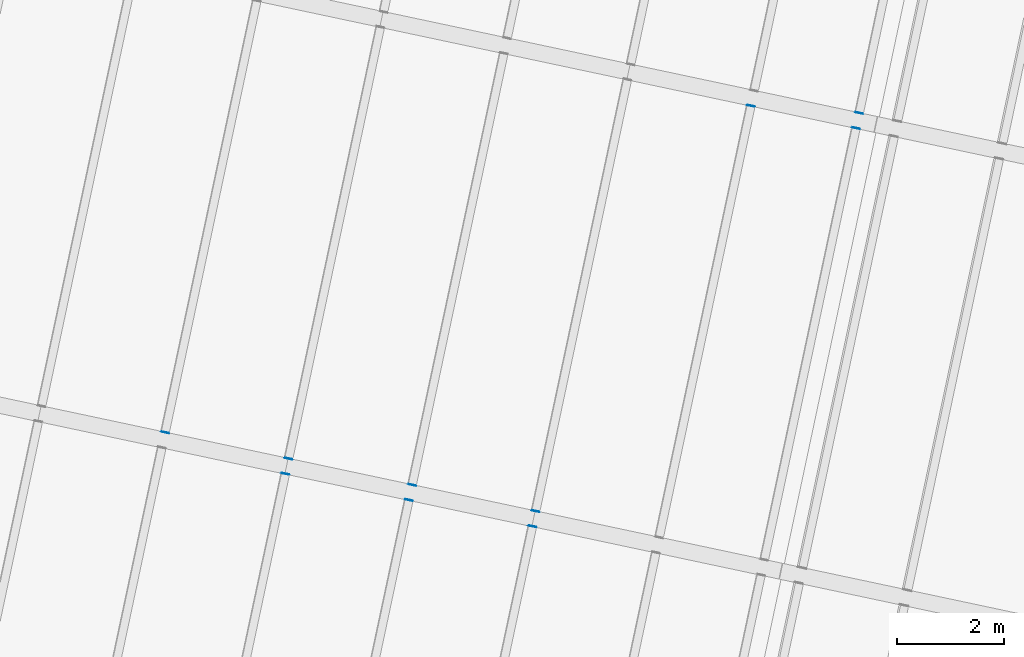
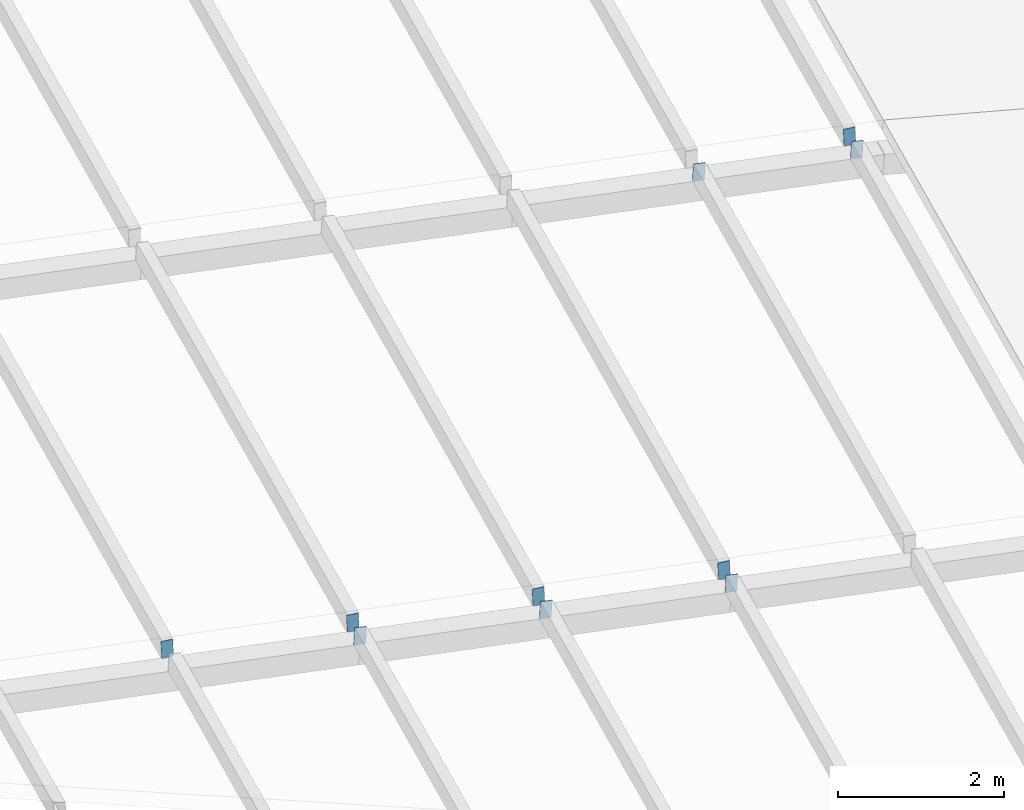
# One storey, part 160 of 196: 10 discrete accessories.
"""IFC4 building model written with IfcOpenShell, lengths in metres."""

import ifcopenshell
import ifcopenshell.guid

model = None  # the IFC model being written
_history = None  # IfcOwnerHistory: only IFC2X3 demands one
_inside = {}  # id of a spatial element -> (the spatial element, [elements in it])
_under = {}  # id of a project, library or spatial element -> (it, [spatial elements below it])
_declared = {}  # id of a project -> (the project, [libraries it declares])
_typed = {}  # id of a type object -> (the type object, [elements of that type])
_made_of = {}  # id of a material, layer set ... -> (it, [elements and type objects made of it])


def new_model(schema):
    """Start an empty IFC model of exactly this schema.

    Asked for "IFC4X3", IfcOpenShell would pick the latest addendum, in which some entities
    have other attributes; the version numbers below select the first issue.
    IFC2X3 requires an IfcOwnerHistory on every rooted entity: one is made here for all.
    """
    global model, _history
    if schema == "IFC4X3":
        model = ifcopenshell.file(schema_version=(4, 3, 0, 0))
    else:
        model = ifcopenshell.file(schema=schema)
    _inside.clear()
    _under.clear()
    _declared.clear()
    _typed.clear()
    _made_of.clear()
    _history = None
    if model.schema == "IFC2X3":
        org = make("IfcOrganization", Name="unknown")
        user = make(
            "IfcPersonAndOrganization",
            ThePerson=make("IfcPerson", FamilyName="unknown"),
            TheOrganization=org,
        )
        app = make(
            "IfcApplication",
            ApplicationDeveloper=org,
            Version="unknown",
            ApplicationFullName="unknown",
            ApplicationIdentifier="unknown",
        )
        _history = make(
            "IfcOwnerHistory",
            OwningUser=user,
            OwningApplication=app,
            ChangeAction="ADDED",
            CreationDate=0,
        )
    return model


def make(cls, **values):
    """One entity of the class cls with the attributes given. An attribute that is None is left unset."""
    return model.create_entity(
        cls, **{name: value for name, value in values.items() if value is not None}
    )


def rooted(cls, **values):
    """An entity with a GlobalId (a new one), such as an element, a storey or a relation."""
    return make(cls, GlobalId=ifcopenshell.guid.new(), OwnerHistory=_history, **values)


def si_unit(unit_type, name, prefix=None):
    """IfcSIUnit, for example si_unit("LENGTHUNIT", "METRE", prefix="MILLI")."""
    return make("IfcSIUnit", UnitType=unit_type, Prefix=prefix, Name=name)


def assignment(units):
    """IfcUnitAssignment: the units of a project."""
    return None if units is None else make("IfcUnitAssignment", Units=units)


def point(xyz):
    """IfcCartesianPoint."""
    return None if xyz is None else make("IfcCartesianPoint", Coordinates=xyz)


def direction(xyz):
    """IfcDirection."""
    return None if xyz is None else make("IfcDirection", DirectionRatios=xyz)


def frame(location, z_axis=None, x_axis=None):
    """IfcAxis2Placement3D, a coordinate frame: its origin and axes. An axis left out is left unset."""
    return make(
        "IfcAxis2Placement3D",
        Location=point(location),
        Axis=direction(z_axis),
        RefDirection=direction(x_axis),
    )


def frame_2d(location, x_axis=None):
    """IfcAxis2Placement2D, a coordinate frame in the plane: its origin and x axis."""
    return make(
        "IfcAxis2Placement2D", Location=point(location), RefDirection=direction(x_axis)
    )


def origin():
    """The frame at (0, 0, 0) with its axes left unset."""
    return frame((0.0, 0.0, 0.0))


def origin_2d():
    """The frame at (0, 0) in the plane with its x axis left unset."""
    return frame_2d((0.0, 0.0))


def place(relative_to, where):
    """IfcLocalPlacement: puts the frame where relative to a parent placement (None: the world)."""
    return make(
        "IfcLocalPlacement", PlacementRelTo=relative_to, RelativePlacement=where
    )


def context(
    kind, dimensions, precision=None, world=None, true_north=None, identifier=None
):
    """IfcGeometricRepresentationContext, for example the 3D "Model" context."""
    return make(
        "IfcGeometricRepresentationContext",
        ContextIdentifier=identifier,
        ContextType=kind,
        CoordinateSpaceDimension=dimensions,
        Precision=precision,
        WorldCoordinateSystem=world,
        TrueNorth=true_north,
    )


def subcontext(parent, identifier, kind, view, scale=None):
    """IfcGeometricRepresentationSubContext, for example "Body" below "Model"."""
    return make(
        "IfcGeometricRepresentationSubContext",
        ContextIdentifier=identifier,
        ContextType=kind,
        ParentContext=parent,
        TargetScale=scale,
        TargetView=view,
    )


def project(units=None, contexts=None):
    """IfcProject with its units and contexts."""
    return rooted(
        "IfcProject",
        Name="project",
        RepresentationContexts=contexts,
        UnitsInContext=assignment(units),
    )


def spatial(cls, under=None, at=None, **own):
    """A site, building, storey or space (cls), placed at a placement, below another one or the project."""
    s = rooted(cls, ObjectPlacement=at, **own)
    if under is not None:
        _under.setdefault(under.id(), (under, []))[1].append(s)
    return s


def profile(cls, at=None, kind="AREA", **sizes):
    """A parametric profile (cls). Its sizes go by their IFC names, for example OverallWidth=200.0."""
    return make(cls, ProfileType=kind, Position=at, **sizes)


def rectangle(**sizes):
    """IfcRectangleProfileDef."""
    return profile("IfcRectangleProfileDef", **sizes)


def extrude(swept, where, along, depth):
    """IfcExtrudedAreaSolid: the profile swept, set in the frame where, extruded along a direction by depth."""
    return make(
        "IfcExtrudedAreaSolid",
        SweptArea=swept,
        Position=where,
        ExtrudedDirection=direction(along),
        Depth=depth,
    )


def shape(context_of_items, identifier, shape_type, items):
    """IfcShapeRepresentation: the items that make up one representation, for example the "Body"."""
    return make(
        "IfcShapeRepresentation",
        ContextOfItems=context_of_items,
        RepresentationIdentifier=identifier,
        RepresentationType=shape_type,
        Items=items,
    )


def material(Name=None, Category=None):
    """IfcMaterial."""
    return make("IfcMaterial", Name=Name, Category=Category)


def layer(
    of_material, thickness, ventilated=None, Name=None, Category=None, Priority=None
):
    """IfcMaterialLayer: one layer of a wall or slab, of a material (None: an air gap)."""
    return make(
        "IfcMaterialLayer",
        Material=of_material,
        LayerThickness=thickness,
        IsVentilated=ventilated,
        Name=Name,
        Category=Category,
        Priority=Priority,
    )


def layer_set(layers, Name=None):
    """IfcMaterialLayerSet."""
    return make("IfcMaterialLayerSet", MaterialLayers=layers, LayerSetName=Name)


def made_of(thing, what):
    """Note that an element or type object is made of a material, layer set ...; save() writes the relation."""
    if what is not None:
        _made_of.setdefault(what.id(), (what, []))[1].append(thing)
    return thing


def type_object(cls, material=None, **own):
    """A type object (cls), such as IfcWallType, which elements share."""
    return made_of(rooted(cls, **own), material)


def element(
    cls,
    number,
    at=None,
    inside=None,
    cuts=None,
    type_object=None,
    material=None,
    context=None,
    identifier="Body",
    shape_type=None,
    held_by="IfcProductDefinitionShape",
    body=None,
    shapes=None,
    **own,
):
    """One element of the class cls, such as IfcWall. Its Tag is "e" and its number.

    at: its placement. inside: the storey or other place that contains it. cuts: it is an
    opening in that element (IfcRelVoidsElement). A single representation is given by context,
    identifier, shape_type and body (its items); several are given by shapes. held_by: the class
    of the entity that holds the representations. save() writes the other relations.
    """
    e = rooted(cls, Tag="e%d" % number, ObjectPlacement=at, **own)
    if body is not None:
        shapes = [shape(context, identifier, shape_type, body)]
    if shapes is not None:
        e.Representation = make(held_by, Representations=shapes)
    if inside is not None:
        _inside.setdefault(inside.id(), (inside, []))[1].append(e)
    if cuts is not None:
        rooted(
            "IfcRelVoidsElement", RelatingBuildingElement=cuts, RelatedOpeningElement=e
        )
    if type_object is not None:
        _typed.setdefault(type_object.id(), (type_object, []))[1].append(e)
    return made_of(e, material)


def aggregate(whole, parts):
    """IfcRelAggregates: a whole, such as a stair, and the parts it consists of."""
    return rooted("IfcRelAggregates", RelatingObject=whole, RelatedObjects=parts)


def save(model, path):
    """Write the relations noted so far, then the file.

    IfcRelAggregates (storeys below a building ...), IfcRelContainedInSpatialStructure (elements
    in a storey), IfcRelDefinesByType, IfcRelAssociatesMaterial and IfcRelDeclares: one each for
    every whole, place, type object, material and project.
    """
    for whole, parts in _under.values():
        aggregate(whole, parts)
    for where, things in _inside.values():
        rooted(
            "IfcRelContainedInSpatialStructure",
            RelatedElements=things,
            RelatingStructure=where,
        )
    for kind, things in _typed.values():
        rooted("IfcRelDefinesByType", RelatedObjects=things, RelatingType=kind)
    for what, things in _made_of.values():
        rooted("IfcRelAssociatesMaterial", RelatedObjects=things, RelatingMaterial=what)
    for by, libraries in _declared.values():
        rooted("IfcRelDeclares", RelatingContext=by, RelatedDefinitions=libraries)
    model.write(path)


model = new_model("IFC4")

# Units and contexts
model_context = context("Model", 3, precision=1e-05, world=origin(), true_north=direction((0.0, 1.0)))
body_context = subcontext(model_context, "Body", "Model", "MODEL_VIEW")
ifc_project = project(units=[si_unit("LENGTHUNIT", "METRE"), si_unit("AREAUNIT", "SQUARE_METRE"), si_unit("VOLUMEUNIT", "CUBIC_METRE"), si_unit("PLANEANGLEUNIT", "RADIAN"), si_unit("MASSUNIT", "GRAM", prefix="KILO")], contexts=[model_context])

# Site, building, storey
site_placement = place(None, origin())
site = spatial("IfcSite", under=ifc_project, at=site_placement, CompositionType="ELEMENT")
building_placement = place(site_placement, origin())
building = spatial("IfcBuilding", under=site, at=building_placement, Name="Okhra Congress Centre", CompositionType="ELEMENT")
storey_placement = place(building_placement, frame((0.0, 0.0, 12.0)))
storey = spatial("IfcBuildingStorey", under=building, at=storey_placement, Name="L02", CompositionType="ELEMENT", Elevation=12.0)

# Discrete accessories
ifc_material = material(Name="Steel S355J2", Category="steel")
ifc_layer = layer(ifc_material, 0.011962890625)
ifc_layer_set = layer_set([ifc_layer], Name="Hollow section end cap 12 mm S355")
discrete_accessory_type = type_object("IfcDiscreteAccessoryType", Name="Hollow section end cap 12 mm S355", PredefinedType="BRACKET", material=ifc_layer_set)
discrete_accessory_1_placement = place(storey_placement, frame((231.05078125, 106.289794921875, 2.7255859375), z_axis=(0.199960011996, 0.97980405878, 0.0), x_axis=(-0.978461271371, 0.199685973749, 0.052335956243)))
element("IfcDiscreteAccessory", 1, at=discrete_accessory_1_placement, inside=storey, type_object=discrete_accessory_type, Name="Hollow section end cap", PredefinedType="BRACKET", context=body_context, shape_type="SweptSolid", body=[
    extrude(rectangle(XDim=0.14990234375, YDim=0.25, at=origin_2d()), origin(), (0.0, 0.0, 1.0), 0.01220703125),
])
for number, where, z_axis, x_axis, name in (
    (2, (233.349609375, 105.80126953125, 2.6025390625), (0.203954254112, 0.978980419738, 0.0), (-0.977638761096, 0.203674741895, 0.052335956243), "Hollow section end cap"),
    (3, (235.648193359375, 105.312744140625, 2.479248046875), (0.203954254112, 0.978980419738, 0.0), (-0.977638761096, 0.203674741895, 0.052335956243), "Hollow section end cap"),
    (4, (228.814453125, 107.072021484375, 2.848876953125), (-0.203954254112, -0.978980419738, 0.0), (0.977638761096, -0.203674741895, 0.052335956243), "Hollow section end cap"),
    (5, (231.11328125, 106.583251953125, 2.7255859375), (-0.203954254112, -0.978980419738, 0.0), (0.977638761096, -0.203674741895, 0.052335956243), "Hollow section end cap"),
    (6, (233.411865234375, 106.0947265625, 2.6025390625), (-0.203954254112, -0.978980419738, 0.0), (0.977638761096, -0.203674741895, 0.052335956243), "Hollow section end cap"),
    (7, (235.71044921875, 105.606201171875, 2.479248046875), (-0.203954254112, -0.978980419738, 0.0), (0.977638761096, -0.203674741895, 0.052335956243), "Hollow section end cap"),
    (8, (239.714111328125, 113.138427734375, 2.356201171875), (0.203954254112, 0.978980419738, 0.0), (-0.977638761096, 0.203674741895, 0.052335956243), "Hollow section end cap"),
    (9, (241.67041015625, 112.72265625, 2.251220703125), (0.203954254112, 0.978980419738, 0.0), (-0.977638761096, 0.203674741895, 0.052335956243), "Hollow section end cap"),
):
    element("IfcDiscreteAccessory", number, at=place(storey_placement, frame(where, z_axis=z_axis, x_axis=x_axis)), inside=storey, type_object=discrete_accessory_type, Name=name, PredefinedType="BRACKET", context=body_context, shape_type="SweptSolid", body=[
        extrude(rectangle(XDim=0.14990234375, YDim=0.25, at=origin_2d()), origin(), (0.0, 0.0, 1.0), 0.011962890625),
    ])
discrete_accessory_2_placement = place(storey_placement, frame((241.732666015625, 113.01611328125, 2.251220703125), z_axis=(-0.199960011996, -0.97980405878, 0.0), x_axis=(0.978461271371, -0.199685973749, 0.052335956243)))
element("IfcDiscreteAccessory", 10, at=discrete_accessory_2_placement, inside=storey, type_object=discrete_accessory_type, Name="Hollow section end cap", PredefinedType="BRACKET", context=body_context, shape_type="SweptSolid", body=[
    extrude(rectangle(XDim=0.14990234375, YDim=0.25, at=origin_2d()), origin(), (0.0, 0.0, 1.0), 0.01220703125),
])

save(model, "model.ifc")
